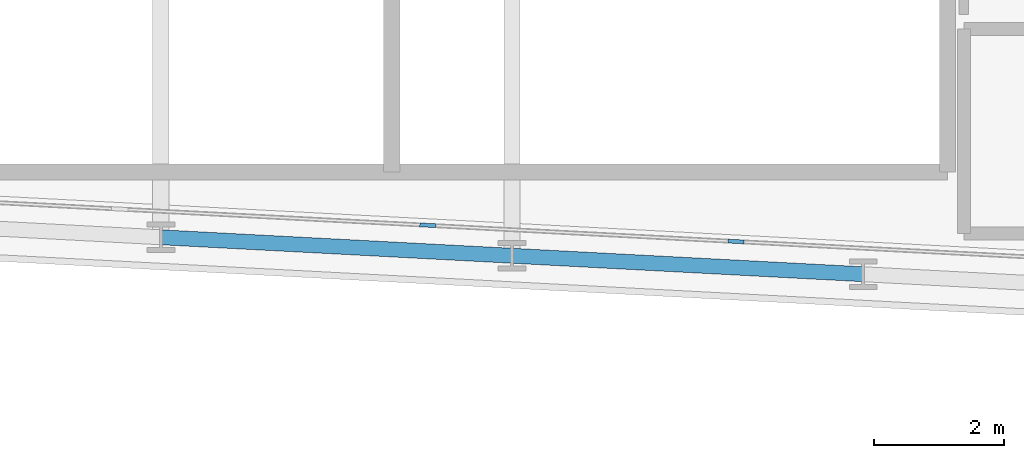
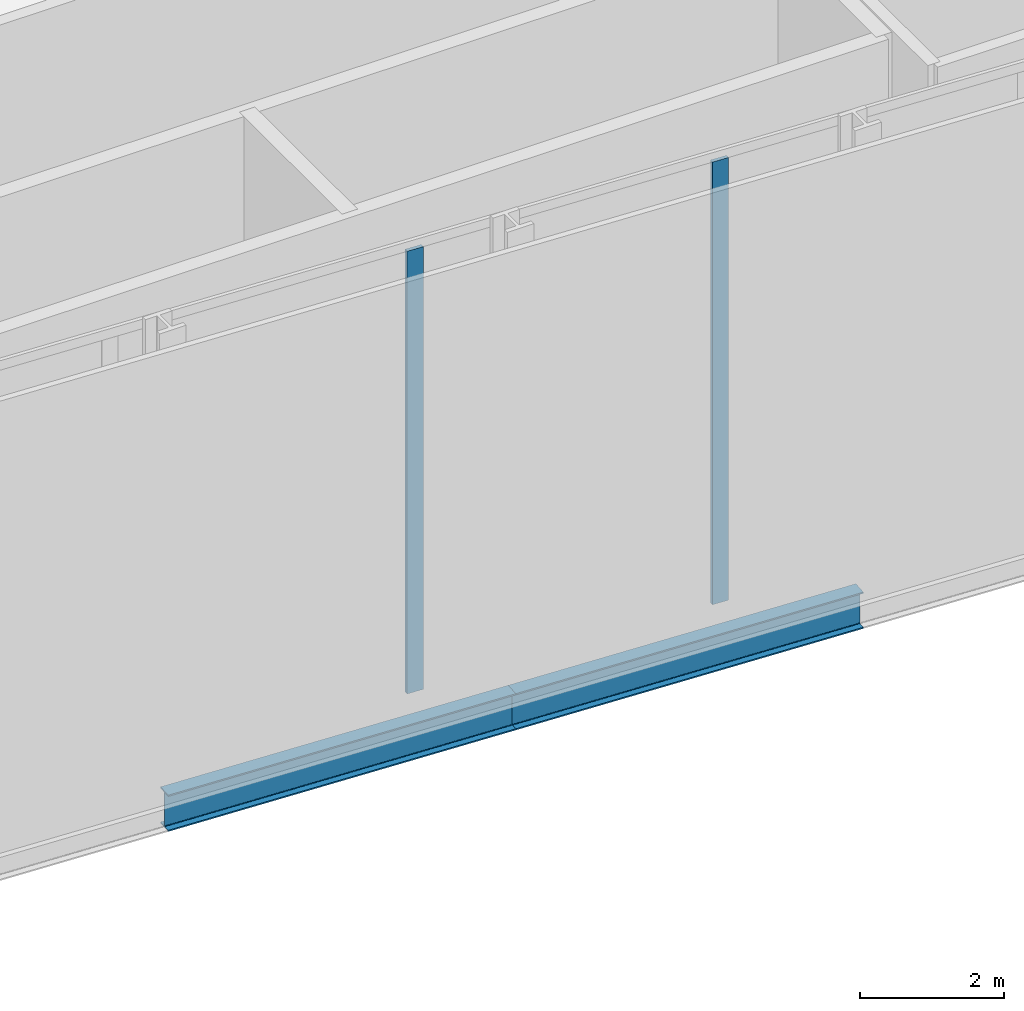
# One storey, part 5 of 36: 2 beams, 2 members, 1 element without a shape of its own.
"""IFC4 building model written with IfcOpenShell, lengths in metres."""

from ifc_helpers import new_model, si_unit, direction, frame, origin, origin_2d, place, context, subcontext, project, spatial, rectangle, i_section, extrude, material, layer, layer_set, material_profile, profile_set, type_object, element, aggregate, save


model = new_model("IFC4")

# Units and contexts
model_context = context("Model", 3, precision=1e-05, world=origin(), true_north=direction((0.0, 1.0)))
body_context = subcontext(model_context, "Body", "Model", "MODEL_VIEW")
ifc_project = project(units=[si_unit("LENGTHUNIT", "METRE"), si_unit("AREAUNIT", "SQUARE_METRE"), si_unit("VOLUMEUNIT", "CUBIC_METRE"), si_unit("PLANEANGLEUNIT", "RADIAN"), si_unit("MASSUNIT", "GRAM", prefix="KILO")], contexts=[model_context])

# Site, building, storey
site_placement = place(None, origin())
site = spatial("IfcSite", under=ifc_project, at=site_placement, CompositionType="ELEMENT")
building_placement = place(site_placement, origin())
building = spatial("IfcBuilding", under=site, at=building_placement, Name="Kheshtan School and Residences Tower", CompositionType="ELEMENT")
storey_placement = place(building_placement, frame((0.0, 0.0, 81.199951171875)))
storey = spatial("IfcBuildingStorey", under=building, at=storey_placement, Name="L19", CompositionType="ELEMENT", Elevation=81.199951171875)

# Beams
ifc_material_1 = material(Name="Steel ASTM A992 Grade 50", Category="steel")
ifc_material_profile_1 = material_profile(ifc_material_1, i_section(OverallWidth=0.22998046875, OverallDepth=0.616943359375, WebThickness=0.01318359375, FlangeThickness=0.022216796875, FilletRadius=0.0185546875, at=origin_2d()), Name="W610x140")
ifc_profile_set_1 = profile_set([ifc_material_profile_1], Name="Steel ASTM A992 Grade 50")
beam_type = type_object("IfcBeamType", Name="Beam SP1 W610x140 ASTM A992 Grade 50", PredefinedType="BEAM", material=ifc_profile_set_1)
beam_1_placement = place(storey_placement, frame((69.199951171875, 22.126953125, -0.45849609375), z_axis=(-0.998620447272, 0.05250906864, 0.0), x_axis=(-0.05250906864, -0.998620447272, 0.0)))
element("IfcBeam", 1, at=beam_1_placement, inside=storey, type_object=beam_type, Name="Spandrel beam C014-C016", PredefinedType="BEAM", context=body_context, shape_type="SweptSolid", body=[
    extrude(i_section(OverallWidth=0.22998046875, OverallDepth=0.616943359375, WebThickness=0.01318359375, FlangeThickness=0.022216796875, FilletRadius=0.0185546875, at=origin_2d()), origin(), (0.0, 0.0, 1.0), 5.407470703125),
])
beam_2_placement = place(storey_placement, frame((63.800048828125, 22.410888671875, -0.45849609375), z_axis=(-0.998618203458, 0.052551724256, 0.0), x_axis=(-0.052551724256, -0.998618203458, 0.0)))
element("IfcBeam", 2, at=beam_2_placement, inside=storey, type_object=beam_type, Name="Spandrel beam C016-C018", PredefinedType="BEAM", context=body_context, shape_type="SweptSolid", body=[
    extrude(i_section(OverallWidth=0.22998046875, OverallDepth=0.616943359375, WebThickness=0.01318359375, FlangeThickness=0.022216796875, FilletRadius=0.0185546875, at=origin_2d()), origin(), (0.0, 0.0, 1.0), 5.40771484375),
])

# Curtain wall, members
ifc_material_2 = material(Name="Clear low-e glass in thermally broken aluminium frame", Category="aluminium")
ifc_layer = layer(ifc_material_2, 0.25)
ifc_layer_set = layer_set([ifc_layer], Name="Curtain wall CW-K")
curtain_wall_type = type_object("IfcCurtainWallType", Name="Curtain wall CW-K", PredefinedType="NOTDEFINED", material=ifc_layer_set)
curtain_wall_placement = place(storey_placement, origin())
curtain_wall = element("IfcCurtainWall", 3, at=curtain_wall_placement, inside=storey, type_object=curtain_wall_type, Name="Curtain wall CWK14", PredefinedType="NOTDEFINED")
ifc_material_3 = material(Name="Thermally broken aluminium, dark bronze anodised", Category="aluminium")
ifc_material_profile_2 = material_profile(ifc_material_3, rectangle(XDim=0.06005859375, YDim=0.25, at=origin_2d()), Name="CW-K mullion 60x250")
ifc_profile_set_2 = profile_set([ifc_material_profile_2], Name="Thermally broken aluminium, dark bronze anodised")
member_type = type_object("IfcMemberType", Name="CW-K mullion 60x250", PredefinedType="MULLION", material=ifc_profile_set_2)
member_1_placement = place(storey_placement, frame((67.246826171875, 22.630126953125, 0.0), z_axis=(0.0, 0.0, 1.0), x_axis=(-0.052569888839, -0.998617247391, 0.0)))
member_1 = element("IfcMember", 4, at=member_1_placement, type_object=member_type, Name="CWK14 mullion 8", PredefinedType="MULLION", context=body_context, shape_type="SweptSolid", body=[
    extrude(rectangle(XDim=0.06005859375, YDim=0.25, at=origin_2d()), origin(), (0.0, 0.0, 1.0), 7.489990234375),
])
member_2_placement = place(storey_placement, frame((62.505859375, 22.879638671875, 0.0), z_axis=(0.0, 0.0, 1.0), x_axis=(-0.052569888839, -0.998617247391, 0.0)))
member_2 = element("IfcMember", 5, at=member_2_placement, type_object=member_type, Name="CWK14 mullion 9", PredefinedType="MULLION", context=body_context, shape_type="SweptSolid", body=[
    extrude(rectangle(XDim=0.06005859375, YDim=0.25, at=origin_2d()), origin(), (0.0, 0.0, 1.0), 7.489990234375),
])
aggregate(curtain_wall, [member_1, member_2])

save(model, "model.ifc")
